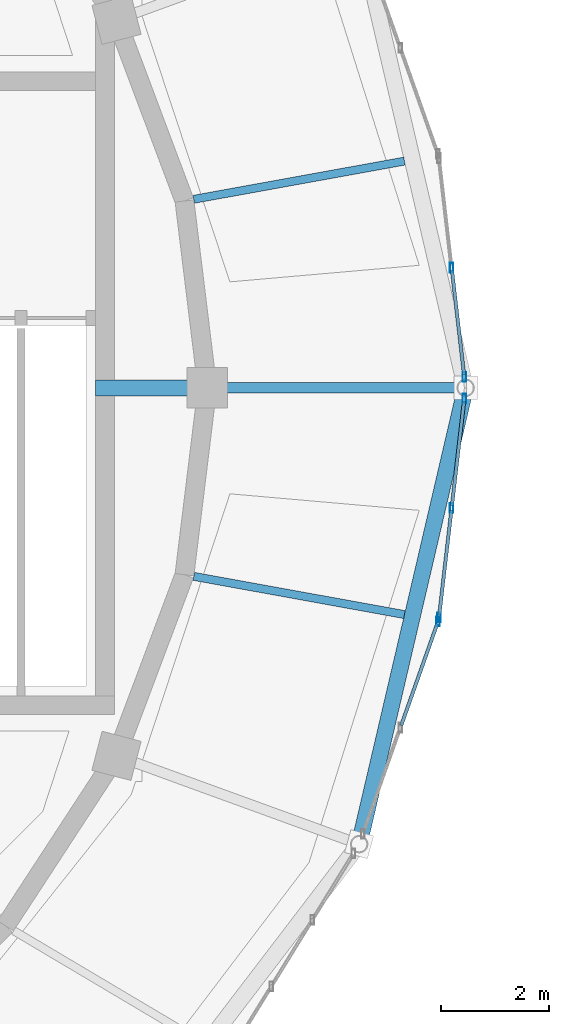
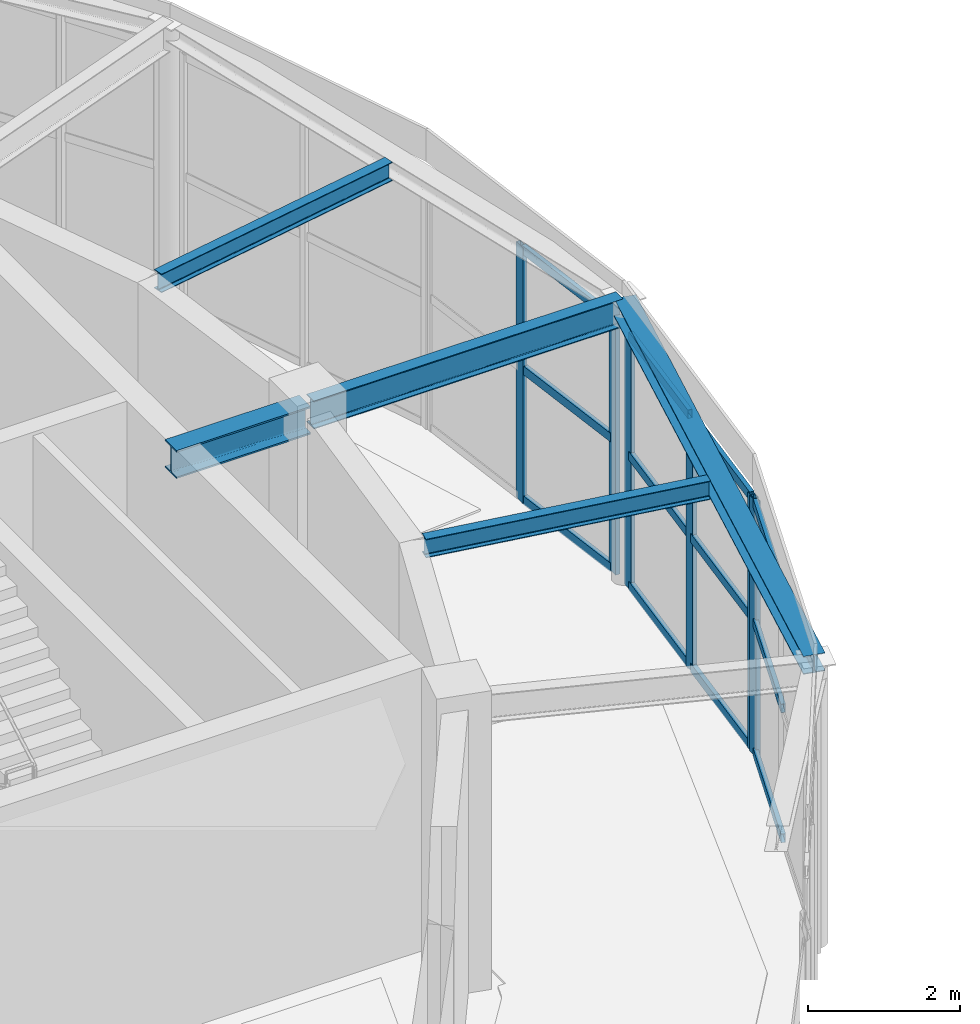
# One storey, part 47 of 108: 18 members, 5 beams, 3 elements without a shape of their own.
"""IFC4 building model written with IfcOpenShell, lengths in metres."""

from ifc_helpers import new_model, si_unit, direction, frame, origin, origin_2d, place, context, subcontext, project, spatial, hollow_rectangle, i_section, extrude, material, material_profile, profile_set, type_object, element, aggregate, save


model = new_model("IFC4")

# Units and contexts
model_context = context("Model", 3, precision=1e-05, world=origin(), true_north=direction((0.0, 1.0)))
body_context = subcontext(model_context, "Body", "Model", "MODEL_VIEW")
ifc_project = project(units=[si_unit("LENGTHUNIT", "METRE"), si_unit("AREAUNIT", "SQUARE_METRE"), si_unit("VOLUMEUNIT", "CUBIC_METRE"), si_unit("PLANEANGLEUNIT", "RADIAN"), si_unit("MASSUNIT", "GRAM", prefix="KILO")], contexts=[model_context])

# Site, building, storey
site_placement = place(None, origin())
site = spatial("IfcSite", under=ifc_project, at=site_placement, CompositionType="ELEMENT")
building_placement = place(site_placement, origin())
building = spatial("IfcBuilding", under=site, at=building_placement, Name="Tarnveldt Headland Concert Hall", CompositionType="ELEMENT")
storey_placement = place(building_placement, frame((0.0, 0.0, 9.60009765625)))
storey = spatial("IfcBuildingStorey", under=building, at=storey_placement, Name="L02", CompositionType="ELEMENT", Elevation=9.60009765625)

# Curtain wall, members
ifc_material_1 = material(Name="Marine-anodised aluminium EN AW-6063-T6", Category="aluminium")
curtain_wall_type = type_object("IfcCurtainWallType", Name="CW-F3", PredefinedType="NOTDEFINED", material=ifc_material_1)
curtain_wall_1_placement = place(storey_placement, origin())
curtain_wall_1 = element("IfcCurtainWall", 1, at=curtain_wall_1_placement, inside=storey, type_object=curtain_wall_type, Name="Curtain wall CW-L02-060", PredefinedType="NOTDEFINED")
ifc_material_profile_1 = material_profile(ifc_material_1, hollow_rectangle(XDim=0.06494140625, YDim=0.179931640625, WallThickness=0.00390625, at=origin_2d()), Name="ALU MULLION 65x180x4", Category="aluminium")
ifc_profile_set_1 = profile_set([ifc_material_profile_1], Name="Marine-anodised aluminium EN AW-6063-T6")
member_type_1 = type_object("IfcMemberType", Name="ML-180", PredefinedType="MULLION", material=ifc_profile_set_1)
member_1_placement = place(storey_placement, frame((116.27685546875, 54.70068359375, 0.0), z_axis=(0.0, 0.0, 1.0), x_axis=(1.0, 0.0, 0.0)))
member_1 = element("IfcMember", 2, at=member_1_placement, type_object=member_type_1, Name="Mullion CW-L02-060-1", PredefinedType="MULLION", context=body_context, shape_type="SweptSolid", body=[
    extrude(hollow_rectangle(XDim=0.06494140625, YDim=0.179931640625, WallThickness=0.00390625, at=origin_2d()), origin(), (0.0, 0.0, 1.0), 4.10791015625),
])
member_2_placement = place(storey_placement, frame((116.04150390625, 56.733642578125, 0.0), z_axis=(0.0, 0.0, 1.0), x_axis=(1.0, 0.0, 0.0)))
member_2 = element("IfcMember", 3, at=member_2_placement, type_object=member_type_1, Name="Mullion CW-L02-060-2", PredefinedType="MULLION", context=body_context, shape_type="SweptSolid", body=[
    extrude(hollow_rectangle(XDim=0.06494140625, YDim=0.179931640625, WallThickness=0.00390625, at=origin_2d()), origin(), (0.0, 0.0, 1.0), 4.10791015625),
])

# Curtain wall, member
curtain_wall_2_placement = place(storey_placement, origin())
curtain_wall_2 = element("IfcCurtainWall", 4, at=curtain_wall_2_placement, inside=storey, type_object=curtain_wall_type, Name="Curtain wall CW-L02-093", PredefinedType="NOTDEFINED")
member_3_placement = place(storey_placement, frame((115.788330078125, 50.15576171875, 0.0), z_axis=(0.0, 0.0, 1.0), x_axis=(1.0, 0.0, 0.0)))
member_3 = element("IfcMember", 5, at=member_3_placement, type_object=member_type_1, Name="Mullion CW-L02-093-3", PredefinedType="MULLION", context=body_context, shape_type="SweptSolid", body=[
    extrude(hollow_rectangle(XDim=0.06494140625, YDim=0.179931640625, WallThickness=0.00390625, at=origin_2d()), origin(), (0.0, 0.0, 1.0), 4.10791015625),
])

# Curtain wall, members
curtain_wall_3_placement = place(storey_placement, origin())
curtain_wall_3 = element("IfcCurtainWall", 6, at=curtain_wall_3_placement, inside=storey, type_object=curtain_wall_type, Name="Curtain wall CW-L02-094", PredefinedType="NOTDEFINED")
member_4_placement = place(storey_placement, frame((115.806396484375, 50.233154296875, 0.0), z_axis=(0.0, 0.0, 1.0), x_axis=(1.0, 0.0, 0.0)))
member_4 = element("IfcMember", 7, at=member_4_placement, type_object=member_type_1, Name="Mullion CW-L02-094-1", PredefinedType="MULLION", context=body_context, shape_type="SweptSolid", body=[
    extrude(hollow_rectangle(XDim=0.06494140625, YDim=0.179931640625, WallThickness=0.00390625, at=origin_2d()), origin(), (0.0, 0.0, 1.0), 4.10791015625),
])
member_5_placement = place(storey_placement, frame((116.04150390625, 52.266357421875, 0.0), z_axis=(0.0, 0.0, 1.0), x_axis=(1.0, 0.0, 0.0)))
member_5 = element("IfcMember", 8, at=member_5_placement, type_object=member_type_1, Name="Mullion CW-L02-094-2", PredefinedType="MULLION", context=body_context, shape_type="SweptSolid", body=[
    extrude(hollow_rectangle(XDim=0.06494140625, YDim=0.179931640625, WallThickness=0.00390625, at=origin_2d()), origin(), (0.0, 0.0, 1.0), 4.10791015625),
])
member_6_placement = place(storey_placement, frame((116.27685546875, 54.29931640625, 0.0), z_axis=(0.0, 0.0, 1.0), x_axis=(1.0, 0.0, 0.0)))
member_6 = element("IfcMember", 9, at=member_6_placement, type_object=member_type_1, Name="Mullion CW-L02-094-3", PredefinedType="MULLION", context=body_context, shape_type="SweptSolid", body=[
    extrude(hollow_rectangle(XDim=0.06494140625, YDim=0.179931640625, WallThickness=0.00390625, at=origin_2d()), origin(), (0.0, 0.0, 1.0), 4.10791015625),
])

# Beams
ifc_material_2 = material(Name="Steel S355", Category="steel")
ifc_material_profile_2 = material_profile(ifc_material_2, i_section(OverallWidth=0.300048828125, OverallDepth=0.2900390625, WebThickness=0.008544921875, FlangeThickness=0.013916015625, FilletRadius=0.027099609375, at=origin_2d()), Name="HEA300", Category="steel")
ifc_profile_set_2 = profile_set([ifc_material_profile_2], Name="Steel S355")
beam_type_1 = type_object("IfcBeamType", Name="SB-HEA300", PredefinedType="SPANDREL", material=ifc_profile_set_2)
beam_1_placement = place(storey_placement, frame((114.33544921875, 46.076416015625, 4.4248046875), z_axis=(0.227123591729, 0.973865942561, 0.0), x_axis=(-0.973865942561, 0.227123591729, 0.0)))
element("IfcBeam", 10, at=beam_1_placement, inside=storey, type_object=beam_type_1, Name="Framing beam L02-1046", PredefinedType="SPANDREL", context=body_context, shape_type="SweptSolid", body=[
    extrude(i_section(OverallWidth=0.300048828125, OverallDepth=0.2900390625, WebThickness=0.008544921875, FlangeThickness=0.013916015625, FilletRadius=0.027099609375, at=origin_2d()), origin(), (0.0, 0.0, 1.0), 8.589599609375),
])
ifc_material_profile_3 = material_profile(ifc_material_2, i_section(OverallWidth=0.300048828125, OverallDepth=0.449951171875, WebThickness=0.013916015625, FlangeThickness=0.02587890625, FilletRadius=0.027099609375, at=origin_2d()), Name="HEB450", Category="steel")
ifc_profile_set_3 = profile_set([ifc_material_profile_3], Name="Steel S355")
beam_type_2 = type_object("IfcBeamType", Name="SB-HEB450", PredefinedType="BEAM", material=ifc_profile_set_3)
beam_2_placement = place(storey_placement, frame((109.419921875, 54.5, 4.324951171875), z_axis=(1.0, 0.0, 0.0), x_axis=(0.0, 1.0, 0.0)))
element("IfcBeam", 11, at=beam_2_placement, inside=storey, type_object=beam_type_2, Name="Framing beam L02-1049", PredefinedType="BEAM", context=body_context, shape_type="SweptSolid", body=[
    extrude(i_section(OverallWidth=0.300048828125, OverallDepth=0.449951171875, WebThickness=0.013916015625, FlangeThickness=0.02587890625, FilletRadius=0.027099609375, at=origin_2d()), origin(), (0.0, 0.0, 1.0), 2.0400390625),
])
ifc_material_profile_4 = material_profile(ifc_material_2, i_section(OverallWidth=0.14990234375, OverallDepth=0.300048828125, WebThickness=0.007080078125, FlangeThickness=0.0107421875, FilletRadius=0.014892578125, at=origin_2d()), Name="IPE300", Category="steel")
ifc_profile_set_4 = profile_set([ifc_material_profile_4], Name="Steel S355")
beam_type_3 = type_object("IfcBeamType", Name="SB-IPE300", PredefinedType="JOIST", material=ifc_profile_set_4)
for number, where, z_axis, x_axis, name in (
    (12, (111.246826171875, 58.004150390625, 4.419921875), (0.983953220183, 0.178426624954, 0.0), (-0.178426624954, 0.983953220183, 0.0), "Framing beam L02-997"),
    (13, (111.246826171875, 50.995849609375, 4.419921875), (0.983953220183, -0.178426624954, 0.0), (0.178426624954, 0.983953220183, 0.0), "Framing beam L02-1048"),
):
    element("IfcBeam", number, at=place(storey_placement, frame(where, z_axis=z_axis, x_axis=x_axis)), inside=storey, type_object=beam_type_3, Name=name, PredefinedType="JOIST", context=body_context, shape_type="SweptSolid", body=[
        extrude(i_section(OverallWidth=0.14990234375, OverallDepth=0.300048828125, WebThickness=0.007080078125, FlangeThickness=0.0107421875, FilletRadius=0.014892578125, at=origin_2d()), origin(), (0.0, 0.0, 1.0), 3.98046875),
    ])
ifc_material_profile_5 = material_profile(ifc_material_2, i_section(OverallWidth=0.18994140625, OverallDepth=0.449951171875, WebThickness=0.009521484375, FlangeThickness=0.0146484375, FilletRadius=0.02099609375, at=origin_2d()), Name="IPE450", Category="steel")
ifc_profile_set_5 = profile_set([ifc_material_profile_5], Name="Steel S355")
beam_type_4 = type_object("IfcBeamType", Name="SB-IPE450", PredefinedType="BEAM", material=ifc_profile_set_5)
beam_3_placement = place(storey_placement, frame((111.5400390625, 54.5, 4.344970703125), z_axis=(1.0, 0.0, 0.0), x_axis=(0.0, 1.0, 0.0)))
element("IfcBeam", 14, at=beam_3_placement, inside=storey, type_object=beam_type_4, Name="Framing beam L02-996", PredefinedType="BEAM", context=body_context, shape_type="SweptSolid", body=[
    extrude(i_section(OverallWidth=0.18994140625, OverallDepth=0.449951171875, WebThickness=0.009521484375, FlangeThickness=0.0146484375, FilletRadius=0.02099609375, at=origin_2d()), origin(), (0.0, 0.0, 1.0), 4.699951171875),
])

# Member
ifc_material_profile_6 = material_profile(ifc_material_1, hollow_rectangle(XDim=0.06494140625, YDim=0.139892578125, WallThickness=0.00390625, at=origin_2d()), Name="ALU TRANSOM 65x140x4", Category="aluminium")
ifc_profile_set_6 = profile_set([ifc_material_profile_6], Name="Marine-anodised aluminium EN AW-6063-T6")
member_type_2 = type_object("IfcMemberType", Name="TR-140", PredefinedType="MEMBER", material=ifc_profile_set_6)
member_7_placement = place(storey_placement, frame((116.271728515625, 54.744873046875, 0.0498046875), z_axis=(-0.114988600131, 0.993366811324, 0.0), x_axis=(-0.993366811324, -0.114988600131, 0.0)))
member_7 = element("IfcMember", 15, at=member_7_placement, type_object=member_type_2, Name="Transom CW-L02-060-1-1", PredefinedType="MEMBER", context=body_context, shape_type="SweptSolid", body=[
    extrude(hollow_rectangle(XDim=0.06494140625, YDim=0.139892578125, WallThickness=0.00390625, at=origin_2d()), origin(), (0.0, 0.0, 1.0), 1.95751953125),
])

member_8_placement = place(storey_placement, frame((116.271728515625, 54.744873046875, 2.135986328125), z_axis=(-0.114988600131, 0.993366811324, 0.0), x_axis=(-0.993366811324, -0.114988600131, 0.0)))
member_8 = element("IfcMember", 16, at=member_8_placement, type_object=member_type_2, Name="Transom CW-L02-060-1-2", PredefinedType="MEMBER", context=body_context, shape_type="SweptSolid", body=[
    extrude(hollow_rectangle(XDim=0.06494140625, YDim=0.139892578125, WallThickness=0.00390625, at=origin_2d()), origin(), (0.0, 0.0, 1.0), 1.95751953125),
])

member_9_placement = place(storey_placement, frame((116.271728515625, 54.744873046875, 4.057861328125), z_axis=(-0.114988600131, 0.993366811324, 0.0), x_axis=(-0.993366811324, -0.114988600131, 0.0)))
member_9 = element("IfcMember", 17, at=member_9_placement, type_object=member_type_2, Name="Transom CW-L02-060-1-3", PredefinedType="MEMBER", context=body_context, shape_type="SweptSolid", body=[
    extrude(hollow_rectangle(XDim=0.06494140625, YDim=0.139892578125, WallThickness=0.00390625, at=origin_2d()), origin(), (0.0, 0.0, 1.0), 1.95751953125),
])

aggregate(curtain_wall_1, [member_1, member_2, member_7, member_8, member_9])

member_10_placement = place(storey_placement, frame((115.103759765625, 48.22412109375, 0.0498046875), z_axis=(0.333998157028, 0.942573727144, 0.0), x_axis=(-0.942573727144, 0.333998157028, 0.0)))
member_10 = element("IfcMember", 18, at=member_10_placement, type_object=member_type_2, Name="Transom CW-L02-093-2-1", PredefinedType="MEMBER", context=body_context, shape_type="SweptSolid", body=[
    extrude(hollow_rectangle(XDim=0.06494140625, YDim=0.139892578125, WallThickness=0.00390625, at=origin_2d()), origin(), (0.0, 0.0, 1.0), 2.005126953125),
])

member_11_placement = place(storey_placement, frame((115.103759765625, 48.22412109375, 2.135986328125), z_axis=(0.333998157028, 0.942573727144, 0.0), x_axis=(-0.942573727144, 0.333998157028, 0.0)))
member_11 = element("IfcMember", 19, at=member_11_placement, type_object=member_type_2, Name="Transom CW-L02-093-2-2", PredefinedType="MEMBER", context=body_context, shape_type="SweptSolid", body=[
    extrude(hollow_rectangle(XDim=0.06494140625, YDim=0.139892578125, WallThickness=0.00390625, at=origin_2d()), origin(), (0.0, 0.0, 1.0), 2.005126953125),
])

member_12_placement = place(storey_placement, frame((115.103759765625, 48.22412109375, 4.057861328125), z_axis=(0.333998157028, 0.942573727144, 0.0), x_axis=(-0.942573727144, 0.333998157028, 0.0)))
member_12 = element("IfcMember", 20, at=member_12_placement, type_object=member_type_2, Name="Transom CW-L02-093-2-3", PredefinedType="MEMBER", context=body_context, shape_type="SweptSolid", body=[
    extrude(hollow_rectangle(XDim=0.06494140625, YDim=0.139892578125, WallThickness=0.00390625, at=origin_2d()), origin(), (0.0, 0.0, 1.0), 2.005126953125),
])

aggregate(curtain_wall_2, [member_3, member_10, member_11, member_12])

member_13_placement = place(storey_placement, frame((115.811279296875, 50.27734375, 0.0498046875), z_axis=(0.114974356036, 0.993368460066, 0.0), x_axis=(-0.993368460066, 0.114974356036, 0.0)))
member_13 = element("IfcMember", 21, at=member_13_placement, type_object=member_type_2, Name="Transom CW-L02-094-1-1", PredefinedType="MEMBER", context=body_context, shape_type="SweptSolid", body=[
    extrude(hollow_rectangle(XDim=0.06494140625, YDim=0.139892578125, WallThickness=0.00390625, at=origin_2d()), origin(), (0.0, 0.0, 1.0), 1.957763671875),
])

member_14_placement = place(storey_placement, frame((115.811279296875, 50.27734375, 2.135986328125), z_axis=(0.114974356036, 0.993368460066, 0.0), x_axis=(-0.993368460066, 0.114974356036, 0.0)))
member_14 = element("IfcMember", 22, at=member_14_placement, type_object=member_type_2, Name="Transom CW-L02-094-1-2", PredefinedType="MEMBER", context=body_context, shape_type="SweptSolid", body=[
    extrude(hollow_rectangle(XDim=0.06494140625, YDim=0.139892578125, WallThickness=0.00390625, at=origin_2d()), origin(), (0.0, 0.0, 1.0), 1.957763671875),
])

member_15_placement = place(storey_placement, frame((115.811279296875, 50.27734375, 4.057861328125), z_axis=(0.114974356036, 0.993368460066, 0.0), x_axis=(-0.993368460066, 0.114974356036, 0.0)))
member_15 = element("IfcMember", 23, at=member_15_placement, type_object=member_type_2, Name="Transom CW-L02-094-1-3", PredefinedType="MEMBER", context=body_context, shape_type="SweptSolid", body=[
    extrude(hollow_rectangle(XDim=0.06494140625, YDim=0.139892578125, WallThickness=0.00390625, at=origin_2d()), origin(), (0.0, 0.0, 1.0), 1.957763671875),
])

member_16_placement = place(storey_placement, frame((116.046630859375, 52.310546875, 0.0498046875), z_axis=(0.114988600131, 0.993366811324, 0.0), x_axis=(-0.993366811324, 0.114988600131, 0.0)))
member_16 = element("IfcMember", 24, at=member_16_placement, type_object=member_type_2, Name="Transom CW-L02-094-2-1", PredefinedType="MEMBER", context=body_context, shape_type="SweptSolid", body=[
    extrude(hollow_rectangle(XDim=0.06494140625, YDim=0.139892578125, WallThickness=0.00390625, at=origin_2d()), origin(), (0.0, 0.0, 1.0), 1.95751953125),
])

member_17_placement = place(storey_placement, frame((116.046630859375, 52.310546875, 2.135986328125), z_axis=(0.114988600131, 0.993366811324, 0.0), x_axis=(-0.993366811324, 0.114988600131, 0.0)))
member_17 = element("IfcMember", 25, at=member_17_placement, type_object=member_type_2, Name="Transom CW-L02-094-2-2", PredefinedType="MEMBER", context=body_context, shape_type="SweptSolid", body=[
    extrude(hollow_rectangle(XDim=0.06494140625, YDim=0.139892578125, WallThickness=0.00390625, at=origin_2d()), origin(), (0.0, 0.0, 1.0), 1.95751953125),
])

member_18_placement = place(storey_placement, frame((116.046630859375, 52.310546875, 4.057861328125), z_axis=(0.114988600131, 0.993366811324, 0.0), x_axis=(-0.993366811324, 0.114988600131, 0.0)))
member_18 = element("IfcMember", 26, at=member_18_placement, type_object=member_type_2, Name="Transom CW-L02-094-2-3", PredefinedType="MEMBER", context=body_context, shape_type="SweptSolid", body=[
    extrude(hollow_rectangle(XDim=0.06494140625, YDim=0.139892578125, WallThickness=0.00390625, at=origin_2d()), origin(), (0.0, 0.0, 1.0), 1.95751953125),
])

aggregate(curtain_wall_3, [member_4, member_5, member_6, member_13, member_14, member_15, member_16, member_17, member_18])

save(model, "model.ifc")
